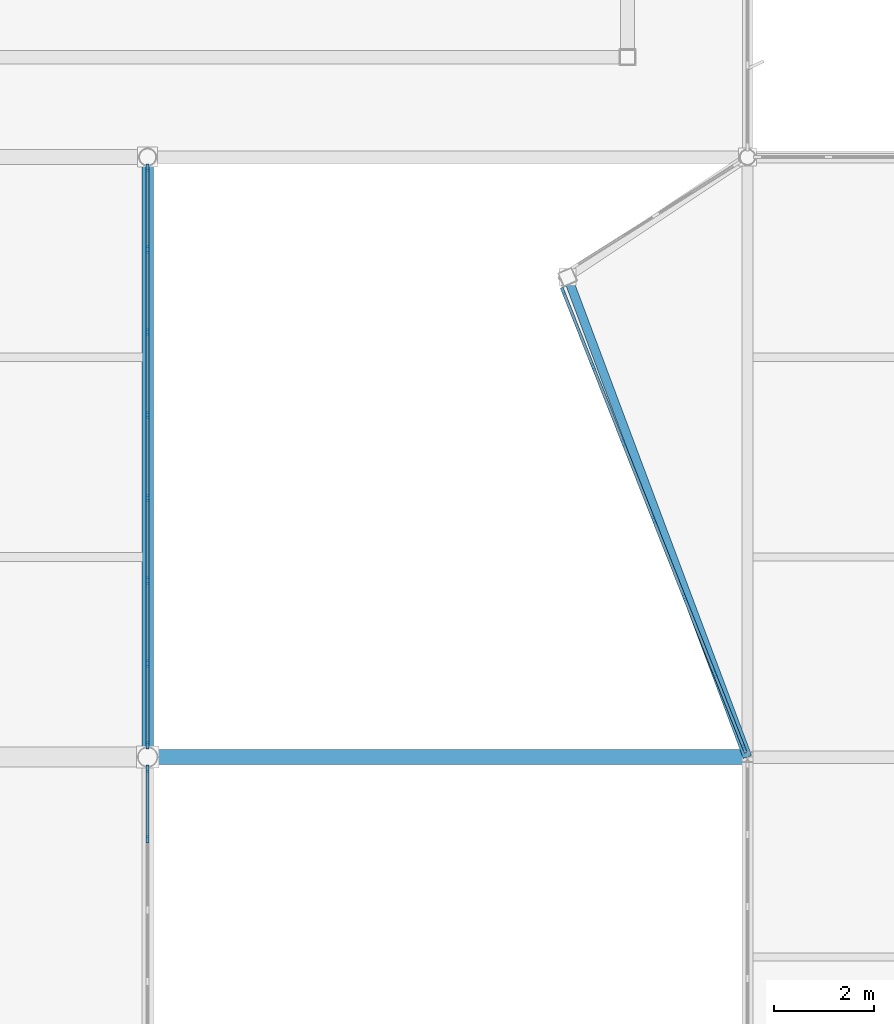
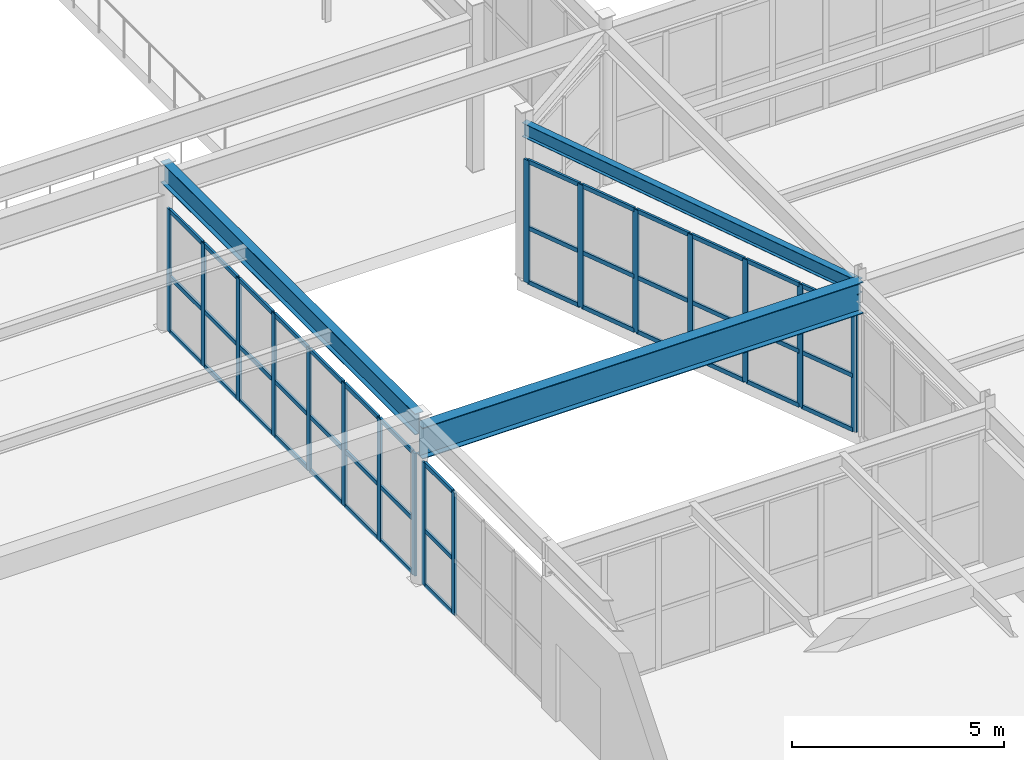
# One storey, part 92 of 186: 59 members, 3 beams, 3 elements without a shape of their own.
"""IFC4 building model written with IfcOpenShell, lengths in metres."""

from ifc_helpers import new_model, si_unit, direction, frame, origin, origin_2d, place, context, subcontext, project, spatial, rectangle, i_section, extrude, material, layer, layer_set, material_profile, profile_set, type_object, element, aggregate, save


model = new_model("IFC4")

# Units and contexts
model_context = context("Model", 3, precision=1e-05, world=origin(), true_north=direction((0.0, 1.0)))
body_context = subcontext(model_context, "Body", "Model", "MODEL_VIEW")
ifc_project = project(units=[si_unit("LENGTHUNIT", "METRE"), si_unit("AREAUNIT", "SQUARE_METRE"), si_unit("VOLUMEUNIT", "CUBIC_METRE"), si_unit("PLANEANGLEUNIT", "RADIAN"), si_unit("MASSUNIT", "GRAM", prefix="KILO")], contexts=[model_context])

# Site, building, storey
site_placement = place(None, origin())
site = spatial("IfcSite", under=ifc_project, at=site_placement, CompositionType="ELEMENT")
building_placement = place(site_placement, origin())
building = spatial("IfcBuilding", under=site, at=building_placement, Name="Tarnwether General Hospital", CompositionType="ELEMENT")
storey_placement = place(building_placement, frame((0.0, 0.0, 9.60009765625)))
storey = spatial("IfcBuildingStorey", under=building, at=storey_placement, Name="L02", CompositionType="ELEMENT", Elevation=9.60009765625)

# Beams
ifc_material_1 = material(Name="Steel Grade 350 (350 MPa)", Category="steel")
ifc_material_profile_1 = material_profile(ifc_material_1, i_section(OverallWidth=0.300048828125, OverallDepth=0.89990234375, WebThickness=0.011962890625, FlangeThickness=0.02001953125, at=origin_2d()), Name="900WB175")
ifc_profile_set_1 = profile_set([ifc_material_profile_1], Name="Steel Grade 350 (350 MPa)")
beam_type_1 = type_object("IfcBeamType", Name="BM-G01", PredefinedType="BEAM", material=ifc_profile_set_1)
beam_1_placement = place(storey_placement, frame((132.0, 33.60009765625, 3.994873046875), z_axis=(1.0, 0.0, 0.0), x_axis=(0.0, 1.0, 0.0)))
element("IfcBeam", 1, at=beam_1_placement, inside=storey, type_object=beam_type_1, Name="Primary Girder BMG-L02-13200_3360-14400_3360-1555", PredefinedType="BEAM", context=body_context, shape_type="SweptSolid", body=[
    extrude(i_section(OverallWidth=0.300048828125, OverallDepth=0.89990234375, WebThickness=0.011962890625, FlangeThickness=0.02001953125, at=origin_2d()), origin(), (0.0, 0.0, 1.0), 12.0),
])
ifc_material_2 = material(Name="Steel Grade 350 (350 MPa)", Category="steel")
ifc_material_profile_2 = material_profile(ifc_material_2, i_section(OverallWidth=0.22802734375, OverallDepth=0.60693359375, WebThickness=0.01123046875, FlangeThickness=0.017333984375, at=origin_2d()), Name="610UB113")
ifc_profile_set_2 = profile_set([ifc_material_profile_2], Name="Steel Grade 350 (350 MPa)")
beam_type_2 = type_object("IfcBeamType", Name="BM-G04", PredefinedType="BEAM", material=ifc_profile_set_2)
beam_2_placement = place(storey_placement, frame((132.0, 33.60009765625, 4.496337890625), z_axis=(0.0, 1.0, 0.0), x_axis=(-1.0, 0.0, 0.0)))
element("IfcBeam", 2, at=beam_2_placement, inside=storey, type_object=beam_type_2, Name="Primary Girder BMG-L02-13200_3360-13200_4560-1556", PredefinedType="BEAM", context=body_context, shape_type="SweptSolid", body=[
    extrude(i_section(OverallWidth=0.22802734375, OverallDepth=0.60693359375, WebThickness=0.01123046875, FlangeThickness=0.017333984375, at=origin_2d()), origin(), (0.0, 0.0, 1.0), 12.0),
])
ifc_material_3 = material(Name="Steel Grade 350 (350 MPa)", Category="steel")
ifc_material_profile_3 = material_profile(ifc_material_3, i_section(OverallWidth=0.177978515625, OverallDepth=0.403076171875, WebThickness=0.007568359375, FlangeThickness=0.010986328125, at=origin_2d()), Name="410UB53.7")
ifc_profile_set_3 = profile_set([ifc_material_profile_3], Name="Steel Grade 350 (350 MPa)")
beam_type_3 = type_object("IfcBeamType", Name="BM-SP2", PredefinedType="SPANDREL", material=ifc_profile_set_3)
beam_3_placement = place(storey_placement, frame((144.0, 33.60009765625, 4.228515625), z_axis=(-0.351136489402, 0.936324284535, 0.0), x_axis=(-0.936324284535, -0.351136489402, 0.0)))
element("IfcBeam", 3, at=beam_3_placement, inside=storey, type_object=beam_type_3, Name="Forecourt South Shard Girder BMG-L02-14400_3360-14040_4320-2232", PredefinedType="SPANDREL", context=body_context, shape_type="SweptSolid", body=[
    extrude(i_section(OverallWidth=0.177978515625, OverallDepth=0.403076171875, WebThickness=0.007568359375, FlangeThickness=0.010986328125, at=origin_2d()), origin(), (0.0, 0.0, 1.0), 10.252685546875),
])

# Curtain wall, members
ifc_material_4 = material(Name="Anodised aluminium", Category="aluminium")
ifc_layer = layer(ifc_material_4, 0.159912109375)
ifc_layer_set = layer_set([ifc_layer], Name="Anodised aluminium")
curtain_wall_type = type_object("IfcCurtainWallType", Name="CW-15", PredefinedType="NOTDEFINED", material=ifc_layer_set)
curtain_wall_1_placement = place(storey_placement, origin())
curtain_wall_1 = element("IfcCurtainWall", 4, at=curtain_wall_1_placement, inside=storey, type_object=curtain_wall_type, Name="Curtain Wall CWG-L02-1320_454-0438", PredefinedType="NOTDEFINED")
ifc_material_5 = material(Name="Anodised aluminium", Category="aluminium")
ifc_material_profile_4 = material_profile(ifc_material_5, rectangle(XDim=0.06005859375, YDim=0.159912109375, at=origin_2d()), Name="ALU-MUL-60x160")
ifc_profile_set_4 = profile_set([ifc_material_profile_4], Name="Anodised aluminium")
member_type_1 = type_object("IfcMemberType", Name="CW-ML1", PredefinedType="MULLION", material=ifc_profile_set_4)
member_1_placement = place(storey_placement, frame((132.0, 45.384033203125, 0.0), z_axis=(0.0, 0.0, 1.0), x_axis=(1.0, 0.0, 0.0)))
member_1 = element("IfcMember", 5, at=member_1_placement, type_object=member_type_1, Name="CW-15 mullion 1", PredefinedType="MULLION", context=body_context, shape_type="SweptSolid", body=[
    extrude(rectangle(XDim=0.06005859375, YDim=0.159912109375, at=origin_2d()), origin(), (0.0, 0.0, 1.0), 3.52978515625),
])
member_2_placement = place(storey_placement, frame((132.0, 43.75634765625, 0.0), z_axis=(0.0, 0.0, 1.0), x_axis=(1.0, 0.0, 0.0)))
member_2 = element("IfcMember", 6, at=member_2_placement, type_object=member_type_1, Name="CW-15 mullion 2", PredefinedType="MULLION", context=body_context, shape_type="SweptSolid", body=[
    extrude(rectangle(XDim=0.06005859375, YDim=0.159912109375, at=origin_2d()), origin(), (0.0, 0.0, 1.0), 3.52978515625),
])
member_3_placement = place(storey_placement, frame((132.0, 42.098876953125, 0.0), z_axis=(0.0, 0.0, 1.0), x_axis=(1.0, 0.0, 0.0)))
member_3 = element("IfcMember", 7, at=member_3_placement, type_object=member_type_1, Name="CW-15 mullion 3", PredefinedType="MULLION", context=body_context, shape_type="SweptSolid", body=[
    extrude(rectangle(XDim=0.06005859375, YDim=0.159912109375, at=origin_2d()), origin(), (0.0, 0.0, 1.0), 3.52978515625),
])
member_4_placement = place(storey_placement, frame((132.0, 40.44140625, 0.0), z_axis=(0.0, 0.0, 1.0), x_axis=(1.0, 0.0, 0.0)))
member_4 = element("IfcMember", 8, at=member_4_placement, type_object=member_type_1, Name="CW-15 mullion 4", PredefinedType="MULLION", context=body_context, shape_type="SweptSolid", body=[
    extrude(rectangle(XDim=0.06005859375, YDim=0.159912109375, at=origin_2d()), origin(), (0.0, 0.0, 1.0), 3.52978515625),
])
member_5_placement = place(storey_placement, frame((132.0, 38.78369140625, 0.0), z_axis=(0.0, 0.0, 1.0), x_axis=(1.0, 0.0, 0.0)))
member_5 = element("IfcMember", 9, at=member_5_placement, type_object=member_type_1, Name="CW-15 mullion 5", PredefinedType="MULLION", context=body_context, shape_type="SweptSolid", body=[
    extrude(rectangle(XDim=0.06005859375, YDim=0.159912109375, at=origin_2d()), origin(), (0.0, 0.0, 1.0), 3.52978515625),
])
member_6_placement = place(storey_placement, frame((132.0, 37.126220703125, 0.0), z_axis=(0.0, 0.0, 1.0), x_axis=(1.0, 0.0, 0.0)))
member_6 = element("IfcMember", 10, at=member_6_placement, type_object=member_type_1, Name="CW-15 mullion 6", PredefinedType="MULLION", context=body_context, shape_type="SweptSolid", body=[
    extrude(rectangle(XDim=0.06005859375, YDim=0.159912109375, at=origin_2d()), origin(), (0.0, 0.0, 1.0), 3.52978515625),
])
member_7_placement = place(storey_placement, frame((132.0, 35.468505859375, 0.0), z_axis=(0.0, 0.0, 1.0), x_axis=(1.0, 0.0, 0.0)))
member_7 = element("IfcMember", 11, at=member_7_placement, type_object=member_type_1, Name="CW-15 mullion 7", PredefinedType="MULLION", context=body_context, shape_type="SweptSolid", body=[
    extrude(rectangle(XDim=0.06005859375, YDim=0.159912109375, at=origin_2d()), origin(), (0.0, 0.0, 1.0), 3.52978515625),
])
member_8_placement = place(storey_placement, frame((132.0, 33.841064453125, 0.0), z_axis=(0.0, 0.0, 1.0), x_axis=(1.0, 0.0, 0.0)))
member_8 = element("IfcMember", 12, at=member_8_placement, type_object=member_type_1, Name="CW-15 mullion 8", PredefinedType="MULLION", context=body_context, shape_type="SweptSolid", body=[
    extrude(rectangle(XDim=0.06005859375, YDim=0.159912109375, at=origin_2d()), origin(), (0.0, 0.0, 1.0), 3.52978515625),
])

curtain_wall_2_placement = place(storey_placement, origin())
curtain_wall_2 = element("IfcCurtainWall", 13, at=curtain_wall_2_placement, inside=storey, type_object=curtain_wall_type, Name="Curtain Wall CWG-L02-1320_334-0439", PredefinedType="NOTDEFINED")
member_9_placement = place(storey_placement, frame((132.0, 33.35888671875, 0.0), z_axis=(0.0, 0.0, 1.0), x_axis=(1.0, 0.0, 0.0)))
member_9 = element("IfcMember", 14, at=member_9_placement, type_object=member_type_1, Name="CW-15 mullion 1", PredefinedType="MULLION", context=body_context, shape_type="SweptSolid", body=[
    extrude(rectangle(XDim=0.06005859375, YDim=0.159912109375, at=origin_2d()), origin(), (0.0, 0.0, 1.0), 3.52978515625),
])
member_10_placement = place(storey_placement, frame((132.0, 31.962646484375, 0.0), z_axis=(0.0, 0.0, 1.0), x_axis=(1.0, 0.0, 0.0)))
member_10 = element("IfcMember", 15, at=member_10_placement, type_object=member_type_1, Name="CW-15 mullion 2", PredefinedType="MULLION", context=body_context, shape_type="SweptSolid", body=[
    extrude(rectangle(XDim=0.06005859375, YDim=0.159912109375, at=origin_2d()), origin(), (0.0, 0.0, 1.0), 3.52978515625),
])

curtain_wall_3_placement = place(storey_placement, origin())
curtain_wall_3 = element("IfcCurtainWall", 16, at=curtain_wall_3_placement, inside=storey, type_object=curtain_wall_type, Name="Curtain Wall CWG-L02-1439_337-0441", PredefinedType="NOTDEFINED")
member_11_placement = place(storey_placement, frame((143.93603515625, 33.760986328125, 0.0), z_axis=(0.0, 0.0, 1.0), x_axis=(-0.929828204858, -0.367993898659, 0.0)))
member_11 = element("IfcMember", 17, at=member_11_placement, type_object=member_type_1, Name="CW-15 mullion 1", PredefinedType="MULLION", context=body_context, shape_type="SweptSolid", body=[
    extrude(rectangle(XDim=0.06005859375, YDim=0.159912109375, at=origin_2d()), origin(), (0.0, 0.0, 1.0), 3.52978515625),
])
member_12_placement = place(storey_placement, frame((143.339599609375, 35.26806640625, 0.0), z_axis=(0.0, 0.0, 1.0), x_axis=(-0.929828204858, -0.367993898659, 0.0)))
member_12 = element("IfcMember", 18, at=member_12_placement, type_object=member_type_1, Name="CW-15 mullion 2", PredefinedType="MULLION", context=body_context, shape_type="SweptSolid", body=[
    extrude(rectangle(XDim=0.06005859375, YDim=0.159912109375, at=origin_2d()), origin(), (0.0, 0.0, 1.0), 3.52978515625),
])
member_13_placement = place(storey_placement, frame((142.73193359375, 36.802978515625, 0.0), z_axis=(0.0, 0.0, 1.0), x_axis=(-0.929828204858, -0.367993898659, 0.0)))
member_13 = element("IfcMember", 19, at=member_13_placement, type_object=member_type_1, Name="CW-15 mullion 3", PredefinedType="MULLION", context=body_context, shape_type="SweptSolid", body=[
    extrude(rectangle(XDim=0.06005859375, YDim=0.159912109375, at=origin_2d()), origin(), (0.0, 0.0, 1.0), 3.52978515625),
])
member_14_placement = place(storey_placement, frame((142.12451171875, 38.337890625, 0.0), z_axis=(0.0, 0.0, 1.0), x_axis=(-0.929828204858, -0.367993898659, 0.0)))
member_14 = element("IfcMember", 20, at=member_14_placement, type_object=member_type_1, Name="CW-15 mullion 4", PredefinedType="MULLION", context=body_context, shape_type="SweptSolid", body=[
    extrude(rectangle(XDim=0.06005859375, YDim=0.159912109375, at=origin_2d()), origin(), (0.0, 0.0, 1.0), 3.52978515625),
])
member_15_placement = place(storey_placement, frame((141.51708984375, 39.873046875, 0.0), z_axis=(0.0, 0.0, 1.0), x_axis=(-0.929828204858, -0.367993898659, 0.0)))
member_15 = element("IfcMember", 21, at=member_15_placement, type_object=member_type_1, Name="CW-15 mullion 5", PredefinedType="MULLION", context=body_context, shape_type="SweptSolid", body=[
    extrude(rectangle(XDim=0.06005859375, YDim=0.159912109375, at=origin_2d()), origin(), (0.0, 0.0, 1.0), 3.52978515625),
])
member_16_placement = place(storey_placement, frame((140.909423828125, 41.407958984375, 0.0), z_axis=(0.0, 0.0, 1.0), x_axis=(-0.929828204858, -0.367993898659, 0.0)))
member_16 = element("IfcMember", 22, at=member_16_placement, type_object=member_type_1, Name="CW-15 mullion 6", PredefinedType="MULLION", context=body_context, shape_type="SweptSolid", body=[
    extrude(rectangle(XDim=0.06005859375, YDim=0.159912109375, at=origin_2d()), origin(), (0.0, 0.0, 1.0), 3.52978515625),
])
member_17_placement = place(storey_placement, frame((140.31298828125, 42.9150390625, 0.0), z_axis=(0.0, 0.0, 1.0), x_axis=(-0.929828204858, -0.367993898659, 0.0)))
member_17 = element("IfcMember", 23, at=member_17_placement, type_object=member_type_1, Name="CW-15 mullion 7", PredefinedType="MULLION", context=body_context, shape_type="SweptSolid", body=[
    extrude(rectangle(XDim=0.06005859375, YDim=0.159912109375, at=origin_2d()), origin(), (0.0, 0.0, 1.0), 3.52978515625),
])

# Member
ifc_material_6 = material(Name="Anodised aluminium", Category="aluminium")
ifc_material_profile_5 = material_profile(ifc_material_6, rectangle(XDim=0.06005859375, YDim=0.1201171875, at=origin_2d()), Name="ALU-TRN-60x120")
ifc_profile_set_5 = profile_set([ifc_material_profile_5], Name="Anodised aluminium")
member_type_2 = type_object("IfcMemberType", Name="CW-TR1", PredefinedType="USERDEFINED", material=ifc_profile_set_5)
member_18_placement = place(storey_placement, frame((132.0, 45.35400390625, 0.02978515625), z_axis=(0.0, -1.0, 0.0), x_axis=(1.0, 0.0, 0.0)))
member_18 = element("IfcMember", 24, at=member_18_placement, type_object=member_type_2, Name="CW-15 transom 1.1", ObjectType="TRANSOM", PredefinedType="USERDEFINED", context=body_context, shape_type="SweptSolid", body=[
    extrude(rectangle(XDim=0.06005859375, YDim=0.1201171875, at=origin_2d()), origin(), (0.0, 0.0, 1.0), 1.567626953125),
])

member_19_placement = place(storey_placement, frame((132.0, 45.35400390625, 1.58837890625), z_axis=(0.0, -1.0, 0.0), x_axis=(1.0, 0.0, 0.0)))
member_19 = element("IfcMember", 25, at=member_19_placement, type_object=member_type_2, Name="CW-15 transom 1.2", ObjectType="TRANSOM", PredefinedType="USERDEFINED", context=body_context, shape_type="SweptSolid", body=[
    extrude(rectangle(XDim=0.06005859375, YDim=0.1201171875, at=origin_2d()), origin(), (0.0, 0.0, 1.0), 1.567626953125),
])

member_20_placement = place(storey_placement, frame((132.0, 45.35400390625, 3.5), z_axis=(0.0, -1.0, 0.0), x_axis=(1.0, 0.0, 0.0)))
member_20 = element("IfcMember", 26, at=member_20_placement, type_object=member_type_2, Name="CW-15 transom 1.3", ObjectType="TRANSOM", PredefinedType="USERDEFINED", context=body_context, shape_type="SweptSolid", body=[
    extrude(rectangle(XDim=0.06005859375, YDim=0.1201171875, at=origin_2d()), origin(), (0.0, 0.0, 1.0), 1.567626953125),
])

member_21_placement = place(storey_placement, frame((132.0, 43.726318359375, 0.02978515625), z_axis=(0.0, -1.0, 0.0), x_axis=(1.0, 0.0, 0.0)))
member_21 = element("IfcMember", 27, at=member_21_placement, type_object=member_type_2, Name="CW-15 transom 2.1", ObjectType="TRANSOM", PredefinedType="USERDEFINED", context=body_context, shape_type="SweptSolid", body=[
    extrude(rectangle(XDim=0.06005859375, YDim=0.1201171875, at=origin_2d()), origin(), (0.0, 0.0, 1.0), 1.597412109375),
])

member_22_placement = place(storey_placement, frame((132.0, 43.726318359375, 1.58837890625), z_axis=(0.0, -1.0, 0.0), x_axis=(1.0, 0.0, 0.0)))
member_22 = element("IfcMember", 28, at=member_22_placement, type_object=member_type_2, Name="CW-15 transom 2.2", ObjectType="TRANSOM", PredefinedType="USERDEFINED", context=body_context, shape_type="SweptSolid", body=[
    extrude(rectangle(XDim=0.06005859375, YDim=0.1201171875, at=origin_2d()), origin(), (0.0, 0.0, 1.0), 1.597412109375),
])

member_23_placement = place(storey_placement, frame((132.0, 43.726318359375, 3.5), z_axis=(0.0, -1.0, 0.0), x_axis=(1.0, 0.0, 0.0)))
member_23 = element("IfcMember", 29, at=member_23_placement, type_object=member_type_2, Name="CW-15 transom 2.3", ObjectType="TRANSOM", PredefinedType="USERDEFINED", context=body_context, shape_type="SweptSolid", body=[
    extrude(rectangle(XDim=0.06005859375, YDim=0.1201171875, at=origin_2d()), origin(), (0.0, 0.0, 1.0), 1.597412109375),
])

member_24_placement = place(storey_placement, frame((132.0, 42.06884765625, 0.02978515625), z_axis=(0.0, -1.0, 0.0), x_axis=(1.0, 0.0, 0.0)))
member_24 = element("IfcMember", 30, at=member_24_placement, type_object=member_type_2, Name="CW-15 transom 3.1", ObjectType="TRANSOM", PredefinedType="USERDEFINED", context=body_context, shape_type="SweptSolid", body=[
    extrude(rectangle(XDim=0.06005859375, YDim=0.1201171875, at=origin_2d()), origin(), (0.0, 0.0, 1.0), 1.59765625),
])

member_25_placement = place(storey_placement, frame((132.0, 42.06884765625, 1.58837890625), z_axis=(0.0, -1.0, 0.0), x_axis=(1.0, 0.0, 0.0)))
member_25 = element("IfcMember", 31, at=member_25_placement, type_object=member_type_2, Name="CW-15 transom 3.2", ObjectType="TRANSOM", PredefinedType="USERDEFINED", context=body_context, shape_type="SweptSolid", body=[
    extrude(rectangle(XDim=0.06005859375, YDim=0.1201171875, at=origin_2d()), origin(), (0.0, 0.0, 1.0), 1.59765625),
])

member_26_placement = place(storey_placement, frame((132.0, 42.06884765625, 3.5), z_axis=(0.0, -1.0, 0.0), x_axis=(1.0, 0.0, 0.0)))
member_26 = element("IfcMember", 32, at=member_26_placement, type_object=member_type_2, Name="CW-15 transom 3.3", ObjectType="TRANSOM", PredefinedType="USERDEFINED", context=body_context, shape_type="SweptSolid", body=[
    extrude(rectangle(XDim=0.06005859375, YDim=0.1201171875, at=origin_2d()), origin(), (0.0, 0.0, 1.0), 1.59765625),
])

member_27_placement = place(storey_placement, frame((132.0, 40.411376953125, 0.02978515625), z_axis=(0.0, -1.0, 0.0), x_axis=(1.0, 0.0, 0.0)))
member_27 = element("IfcMember", 33, at=member_27_placement, type_object=member_type_2, Name="CW-15 transom 4.1", ObjectType="TRANSOM", PredefinedType="USERDEFINED", context=body_context, shape_type="SweptSolid", body=[
    extrude(rectangle(XDim=0.06005859375, YDim=0.1201171875, at=origin_2d()), origin(), (0.0, 0.0, 1.0), 1.59765625),
])

member_28_placement = place(storey_placement, frame((132.0, 40.411376953125, 1.58837890625), z_axis=(0.0, -1.0, 0.0), x_axis=(1.0, 0.0, 0.0)))
member_28 = element("IfcMember", 34, at=member_28_placement, type_object=member_type_2, Name="CW-15 transom 4.2", ObjectType="TRANSOM", PredefinedType="USERDEFINED", context=body_context, shape_type="SweptSolid", body=[
    extrude(rectangle(XDim=0.06005859375, YDim=0.1201171875, at=origin_2d()), origin(), (0.0, 0.0, 1.0), 1.59765625),
])

member_29_placement = place(storey_placement, frame((132.0, 40.411376953125, 3.5), z_axis=(0.0, -1.0, 0.0), x_axis=(1.0, 0.0, 0.0)))
member_29 = element("IfcMember", 35, at=member_29_placement, type_object=member_type_2, Name="CW-15 transom 4.3", ObjectType="TRANSOM", PredefinedType="USERDEFINED", context=body_context, shape_type="SweptSolid", body=[
    extrude(rectangle(XDim=0.06005859375, YDim=0.1201171875, at=origin_2d()), origin(), (0.0, 0.0, 1.0), 1.59765625),
])

member_30_placement = place(storey_placement, frame((132.0, 38.753662109375, 0.02978515625), z_axis=(0.0, -1.0, 0.0), x_axis=(1.0, 0.0, 0.0)))
member_30 = element("IfcMember", 36, at=member_30_placement, type_object=member_type_2, Name="CW-15 transom 5.1", ObjectType="TRANSOM", PredefinedType="USERDEFINED", context=body_context, shape_type="SweptSolid", body=[
    extrude(rectangle(XDim=0.06005859375, YDim=0.1201171875, at=origin_2d()), origin(), (0.0, 0.0, 1.0), 1.597412109375),
])

member_31_placement = place(storey_placement, frame((132.0, 38.753662109375, 1.58837890625), z_axis=(0.0, -1.0, 0.0), x_axis=(1.0, 0.0, 0.0)))
member_31 = element("IfcMember", 37, at=member_31_placement, type_object=member_type_2, Name="CW-15 transom 5.2", ObjectType="TRANSOM", PredefinedType="USERDEFINED", context=body_context, shape_type="SweptSolid", body=[
    extrude(rectangle(XDim=0.06005859375, YDim=0.1201171875, at=origin_2d()), origin(), (0.0, 0.0, 1.0), 1.597412109375),
])

member_32_placement = place(storey_placement, frame((132.0, 38.753662109375, 3.5), z_axis=(0.0, -1.0, 0.0), x_axis=(1.0, 0.0, 0.0)))
member_32 = element("IfcMember", 38, at=member_32_placement, type_object=member_type_2, Name="CW-15 transom 5.3", ObjectType="TRANSOM", PredefinedType="USERDEFINED", context=body_context, shape_type="SweptSolid", body=[
    extrude(rectangle(XDim=0.06005859375, YDim=0.1201171875, at=origin_2d()), origin(), (0.0, 0.0, 1.0), 1.597412109375),
])

member_33_placement = place(storey_placement, frame((132.0, 37.09619140625, 0.02978515625), z_axis=(0.0, -1.0, 0.0), x_axis=(1.0, 0.0, 0.0)))
member_33 = element("IfcMember", 39, at=member_33_placement, type_object=member_type_2, Name="CW-15 transom 6.1", ObjectType="TRANSOM", PredefinedType="USERDEFINED", context=body_context, shape_type="SweptSolid", body=[
    extrude(rectangle(XDim=0.06005859375, YDim=0.1201171875, at=origin_2d()), origin(), (0.0, 0.0, 1.0), 1.59765625),
])

member_34_placement = place(storey_placement, frame((132.0, 37.09619140625, 1.58837890625), z_axis=(0.0, -1.0, 0.0), x_axis=(1.0, 0.0, 0.0)))
member_34 = element("IfcMember", 40, at=member_34_placement, type_object=member_type_2, Name="CW-15 transom 6.2", ObjectType="TRANSOM", PredefinedType="USERDEFINED", context=body_context, shape_type="SweptSolid", body=[
    extrude(rectangle(XDim=0.06005859375, YDim=0.1201171875, at=origin_2d()), origin(), (0.0, 0.0, 1.0), 1.59765625),
])

member_35_placement = place(storey_placement, frame((132.0, 37.09619140625, 3.5), z_axis=(0.0, -1.0, 0.0), x_axis=(1.0, 0.0, 0.0)))
member_35 = element("IfcMember", 41, at=member_35_placement, type_object=member_type_2, Name="CW-15 transom 6.3", ObjectType="TRANSOM", PredefinedType="USERDEFINED", context=body_context, shape_type="SweptSolid", body=[
    extrude(rectangle(XDim=0.06005859375, YDim=0.1201171875, at=origin_2d()), origin(), (0.0, 0.0, 1.0), 1.59765625),
])

member_36_placement = place(storey_placement, frame((132.0, 35.4384765625, 0.02978515625), z_axis=(0.0, -1.0, 0.0), x_axis=(1.0, 0.0, 0.0)))
member_36 = element("IfcMember", 42, at=member_36_placement, type_object=member_type_2, Name="CW-15 transom 7.1", ObjectType="TRANSOM", PredefinedType="USERDEFINED", context=body_context, shape_type="SweptSolid", body=[
    extrude(rectangle(XDim=0.06005859375, YDim=0.1201171875, at=origin_2d()), origin(), (0.0, 0.0, 1.0), 1.5673828125),
])

member_37_placement = place(storey_placement, frame((132.0, 35.4384765625, 1.58837890625), z_axis=(0.0, -1.0, 0.0), x_axis=(1.0, 0.0, 0.0)))
member_37 = element("IfcMember", 43, at=member_37_placement, type_object=member_type_2, Name="CW-15 transom 7.2", ObjectType="TRANSOM", PredefinedType="USERDEFINED", context=body_context, shape_type="SweptSolid", body=[
    extrude(rectangle(XDim=0.06005859375, YDim=0.1201171875, at=origin_2d()), origin(), (0.0, 0.0, 1.0), 1.5673828125),
])

member_38_placement = place(storey_placement, frame((132.0, 35.4384765625, 3.5), z_axis=(0.0, -1.0, 0.0), x_axis=(1.0, 0.0, 0.0)))
member_38 = element("IfcMember", 44, at=member_38_placement, type_object=member_type_2, Name="CW-15 transom 7.3", ObjectType="TRANSOM", PredefinedType="USERDEFINED", context=body_context, shape_type="SweptSolid", body=[
    extrude(rectangle(XDim=0.06005859375, YDim=0.1201171875, at=origin_2d()), origin(), (0.0, 0.0, 1.0), 1.5673828125),
])

aggregate(curtain_wall_1, [member_1, member_2, member_3, member_4, member_5, member_6, member_7, member_8, member_18, member_19, member_20, member_21, member_22, member_23, member_24, member_25, member_26, member_27, member_28, member_29, member_30, member_31, member_32, member_33, member_34, member_35, member_36, member_37, member_38])

member_39_placement = place(storey_placement, frame((132.0, 33.3291015625, 0.02978515625), z_axis=(0.0, -1.0, 0.0), x_axis=(1.0, 0.0, 0.0)))
member_39 = element("IfcMember", 45, at=member_39_placement, type_object=member_type_2, Name="CW-15 transom 1.1", ObjectType="TRANSOM", PredefinedType="USERDEFINED", context=body_context, shape_type="SweptSolid", body=[
    extrude(rectangle(XDim=0.06005859375, YDim=0.1201171875, at=origin_2d()), origin(), (0.0, 0.0, 1.0), 1.33642578125),
])

member_40_placement = place(storey_placement, frame((132.0, 33.3291015625, 1.58837890625), z_axis=(0.0, -1.0, 0.0), x_axis=(1.0, 0.0, 0.0)))
member_40 = element("IfcMember", 46, at=member_40_placement, type_object=member_type_2, Name="CW-15 transom 1.2", ObjectType="TRANSOM", PredefinedType="USERDEFINED", context=body_context, shape_type="SweptSolid", body=[
    extrude(rectangle(XDim=0.06005859375, YDim=0.1201171875, at=origin_2d()), origin(), (0.0, 0.0, 1.0), 1.33642578125),
])

member_41_placement = place(storey_placement, frame((132.0, 33.3291015625, 3.5), z_axis=(0.0, -1.0, 0.0), x_axis=(1.0, 0.0, 0.0)))
member_41 = element("IfcMember", 47, at=member_41_placement, type_object=member_type_2, Name="CW-15 transom 1.3", ObjectType="TRANSOM", PredefinedType="USERDEFINED", context=body_context, shape_type="SweptSolid", body=[
    extrude(rectangle(XDim=0.06005859375, YDim=0.1201171875, at=origin_2d()), origin(), (0.0, 0.0, 1.0), 1.33642578125),
])

aggregate(curtain_wall_2, [member_9, member_10, member_39, member_40, member_41])

member_42_placement = place(storey_placement, frame((143.9248046875, 33.788818359375, 0.02978515625), z_axis=(-0.367935744473, 0.929851218174, 0.0), x_axis=(-0.929851218174, -0.367935744473, 0.0)))
member_42 = element("IfcMember", 48, at=member_42_placement, type_object=member_type_2, Name="CW-15 transom 1.1", ObjectType="TRANSOM", PredefinedType="USERDEFINED", context=body_context, shape_type="SweptSolid", body=[
    extrude(rectangle(XDim=0.06005859375, YDim=0.1201171875, at=origin_2d()), origin(), (0.0, 0.0, 1.0), 1.560546875),
])

member_43_placement = place(storey_placement, frame((143.9248046875, 33.788818359375, 1.58837890625), z_axis=(-0.367935744473, 0.929851218174, 0.0), x_axis=(-0.929851218174, -0.367935744473, 0.0)))
member_43 = element("IfcMember", 49, at=member_43_placement, type_object=member_type_2, Name="CW-15 transom 1.2", ObjectType="TRANSOM", PredefinedType="USERDEFINED", context=body_context, shape_type="SweptSolid", body=[
    extrude(rectangle(XDim=0.06005859375, YDim=0.1201171875, at=origin_2d()), origin(), (0.0, 0.0, 1.0), 1.560546875),
])

member_44_placement = place(storey_placement, frame((143.9248046875, 33.788818359375, 3.5), z_axis=(-0.367935744473, 0.929851218174, 0.0), x_axis=(-0.929851218174, -0.367935744473, 0.0)))
member_44 = element("IfcMember", 50, at=member_44_placement, type_object=member_type_2, Name="CW-15 transom 1.3", ObjectType="TRANSOM", PredefinedType="USERDEFINED", context=body_context, shape_type="SweptSolid", body=[
    extrude(rectangle(XDim=0.06005859375, YDim=0.1201171875, at=origin_2d()), origin(), (0.0, 0.0, 1.0), 1.560546875),
])

member_45_placement = place(storey_placement, frame((143.328369140625, 35.2958984375, 0.02978515625), z_axis=(-0.36800146185, 0.929825211573, 0.0), x_axis=(-0.929825211573, -0.36800146185, 0.0)))
member_45 = element("IfcMember", 51, at=member_45_placement, type_object=member_type_2, Name="CW-15 transom 2.1", ObjectType="TRANSOM", PredefinedType="USERDEFINED", context=body_context, shape_type="SweptSolid", body=[
    extrude(rectangle(XDim=0.06005859375, YDim=0.1201171875, at=origin_2d()), origin(), (0.0, 0.0, 1.0), 1.5908203125),
])

member_46_placement = place(storey_placement, frame((143.328369140625, 35.2958984375, 1.58837890625), z_axis=(-0.36800146185, 0.929825211573, 0.0), x_axis=(-0.929825211573, -0.36800146185, 0.0)))
member_46 = element("IfcMember", 52, at=member_46_placement, type_object=member_type_2, Name="CW-15 transom 2.2", ObjectType="TRANSOM", PredefinedType="USERDEFINED", context=body_context, shape_type="SweptSolid", body=[
    extrude(rectangle(XDim=0.06005859375, YDim=0.1201171875, at=origin_2d()), origin(), (0.0, 0.0, 1.0), 1.5908203125),
])

member_47_placement = place(storey_placement, frame((143.328369140625, 35.2958984375, 3.5), z_axis=(-0.36800146185, 0.929825211573, 0.0), x_axis=(-0.929825211573, -0.36800146185, 0.0)))
member_47 = element("IfcMember", 53, at=member_47_placement, type_object=member_type_2, Name="CW-15 transom 2.3", ObjectType="TRANSOM", PredefinedType="USERDEFINED", context=body_context, shape_type="SweptSolid", body=[
    extrude(rectangle(XDim=0.06005859375, YDim=0.1201171875, at=origin_2d()), origin(), (0.0, 0.0, 1.0), 1.5908203125),
])

member_48_placement = place(storey_placement, frame((142.720947265625, 36.830810546875, 0.02978515625), z_axis=(-0.36800146185, 0.929825211573, 0.0), x_axis=(-0.929825211573, -0.36800146185, 0.0)))
member_48 = element("IfcMember", 54, at=member_48_placement, type_object=member_type_2, Name="CW-15 transom 3.1", ObjectType="TRANSOM", PredefinedType="USERDEFINED", context=body_context, shape_type="SweptSolid", body=[
    extrude(rectangle(XDim=0.06005859375, YDim=0.1201171875, at=origin_2d()), origin(), (0.0, 0.0, 1.0), 1.5908203125),
])

member_49_placement = place(storey_placement, frame((142.720947265625, 36.830810546875, 1.58837890625), z_axis=(-0.36800146185, 0.929825211573, 0.0), x_axis=(-0.929825211573, -0.36800146185, 0.0)))
member_49 = element("IfcMember", 55, at=member_49_placement, type_object=member_type_2, Name="CW-15 transom 3.2", ObjectType="TRANSOM", PredefinedType="USERDEFINED", context=body_context, shape_type="SweptSolid", body=[
    extrude(rectangle(XDim=0.06005859375, YDim=0.1201171875, at=origin_2d()), origin(), (0.0, 0.0, 1.0), 1.5908203125),
])

member_50_placement = place(storey_placement, frame((142.720947265625, 36.830810546875, 3.5), z_axis=(-0.36800146185, 0.929825211573, 0.0), x_axis=(-0.929825211573, -0.36800146185, 0.0)))
member_50 = element("IfcMember", 56, at=member_50_placement, type_object=member_type_2, Name="CW-15 transom 3.3", ObjectType="TRANSOM", PredefinedType="USERDEFINED", context=body_context, shape_type="SweptSolid", body=[
    extrude(rectangle(XDim=0.06005859375, YDim=0.1201171875, at=origin_2d()), origin(), (0.0, 0.0, 1.0), 1.5908203125),
])

member_51_placement = place(storey_placement, frame((142.113525390625, 38.365966796875, 0.02978515625), z_axis=(-0.36800146185, 0.929825211573, 0.0), x_axis=(-0.929825211573, -0.36800146185, 0.0)))
member_51 = element("IfcMember", 57, at=member_51_placement, type_object=member_type_2, Name="CW-15 transom 4.1", ObjectType="TRANSOM", PredefinedType="USERDEFINED", context=body_context, shape_type="SweptSolid", body=[
    extrude(rectangle(XDim=0.06005859375, YDim=0.1201171875, at=origin_2d()), origin(), (0.0, 0.0, 1.0), 1.5908203125),
])

member_52_placement = place(storey_placement, frame((142.113525390625, 38.365966796875, 1.58837890625), z_axis=(-0.36800146185, 0.929825211573, 0.0), x_axis=(-0.929825211573, -0.36800146185, 0.0)))
member_52 = element("IfcMember", 58, at=member_52_placement, type_object=member_type_2, Name="CW-15 transom 4.2", ObjectType="TRANSOM", PredefinedType="USERDEFINED", context=body_context, shape_type="SweptSolid", body=[
    extrude(rectangle(XDim=0.06005859375, YDim=0.1201171875, at=origin_2d()), origin(), (0.0, 0.0, 1.0), 1.5908203125),
])

member_53_placement = place(storey_placement, frame((142.113525390625, 38.365966796875, 3.5), z_axis=(-0.36800146185, 0.929825211573, 0.0), x_axis=(-0.929825211573, -0.36800146185, 0.0)))
member_53 = element("IfcMember", 59, at=member_53_placement, type_object=member_type_2, Name="CW-15 transom 4.3", ObjectType="TRANSOM", PredefinedType="USERDEFINED", context=body_context, shape_type="SweptSolid", body=[
    extrude(rectangle(XDim=0.06005859375, YDim=0.1201171875, at=origin_2d()), origin(), (0.0, 0.0, 1.0), 1.5908203125),
])

member_54_placement = place(storey_placement, frame((141.505859375, 39.90087890625, 0.02978515625), z_axis=(-0.367868771364, 0.929877716184, 0.0), x_axis=(-0.929877716184, -0.367868771364, 0.0)))
member_54 = element("IfcMember", 60, at=member_54_placement, type_object=member_type_2, Name="CW-15 transom 5.1", ObjectType="TRANSOM", PredefinedType="USERDEFINED", context=body_context, shape_type="SweptSolid", body=[
    extrude(rectangle(XDim=0.06005859375, YDim=0.1201171875, at=origin_2d()), origin(), (0.0, 0.0, 1.0), 1.5908203125),
])

member_55_placement = place(storey_placement, frame((141.505859375, 39.90087890625, 1.58837890625), z_axis=(-0.367868771364, 0.929877716184, 0.0), x_axis=(-0.929877716184, -0.367868771364, 0.0)))
member_55 = element("IfcMember", 61, at=member_55_placement, type_object=member_type_2, Name="CW-15 transom 5.2", ObjectType="TRANSOM", PredefinedType="USERDEFINED", context=body_context, shape_type="SweptSolid", body=[
    extrude(rectangle(XDim=0.06005859375, YDim=0.1201171875, at=origin_2d()), origin(), (0.0, 0.0, 1.0), 1.5908203125),
])

member_56_placement = place(storey_placement, frame((141.505859375, 39.90087890625, 3.5), z_axis=(-0.367868771364, 0.929877716184, 0.0), x_axis=(-0.929877716184, -0.367868771364, 0.0)))
member_56 = element("IfcMember", 62, at=member_56_placement, type_object=member_type_2, Name="CW-15 transom 5.3", ObjectType="TRANSOM", PredefinedType="USERDEFINED", context=body_context, shape_type="SweptSolid", body=[
    extrude(rectangle(XDim=0.06005859375, YDim=0.1201171875, at=origin_2d()), origin(), (0.0, 0.0, 1.0), 1.5908203125),
])

member_57_placement = place(storey_placement, frame((140.8984375, 41.435791015625, 0.02978515625), z_axis=(-0.368017463541, 0.929818878346, 0.0), x_axis=(-0.929818878346, -0.368017463541, 0.0)))
member_57 = element("IfcMember", 63, at=member_57_placement, type_object=member_type_2, Name="CW-15 transom 6.1", ObjectType="TRANSOM", PredefinedType="USERDEFINED", context=body_context, shape_type="SweptSolid", body=[
    extrude(rectangle(XDim=0.06005859375, YDim=0.1201171875, at=origin_2d()), origin(), (0.0, 0.0, 1.0), 1.56103515625),
])

member_58_placement = place(storey_placement, frame((140.8984375, 41.435791015625, 1.58837890625), z_axis=(-0.368017463541, 0.929818878346, 0.0), x_axis=(-0.929818878346, -0.368017463541, 0.0)))
member_58 = element("IfcMember", 64, at=member_58_placement, type_object=member_type_2, Name="CW-15 transom 6.2", ObjectType="TRANSOM", PredefinedType="USERDEFINED", context=body_context, shape_type="SweptSolid", body=[
    extrude(rectangle(XDim=0.06005859375, YDim=0.1201171875, at=origin_2d()), origin(), (0.0, 0.0, 1.0), 1.56103515625),
])

member_59_placement = place(storey_placement, frame((140.8984375, 41.435791015625, 3.5), z_axis=(-0.368017463541, 0.929818878346, 0.0), x_axis=(-0.929818878346, -0.368017463541, 0.0)))
member_59 = element("IfcMember", 65, at=member_59_placement, type_object=member_type_2, Name="CW-15 transom 6.3", ObjectType="TRANSOM", PredefinedType="USERDEFINED", context=body_context, shape_type="SweptSolid", body=[
    extrude(rectangle(XDim=0.06005859375, YDim=0.1201171875, at=origin_2d()), origin(), (0.0, 0.0, 1.0), 1.56103515625),
])

aggregate(curtain_wall_3, [member_11, member_12, member_13, member_14, member_15, member_16, member_17, member_42, member_43, member_44, member_45, member_46, member_47, member_48, member_49, member_50, member_51, member_52, member_53, member_54, member_55, member_56, member_57, member_58, member_59])

save(model, "model.ifc")
